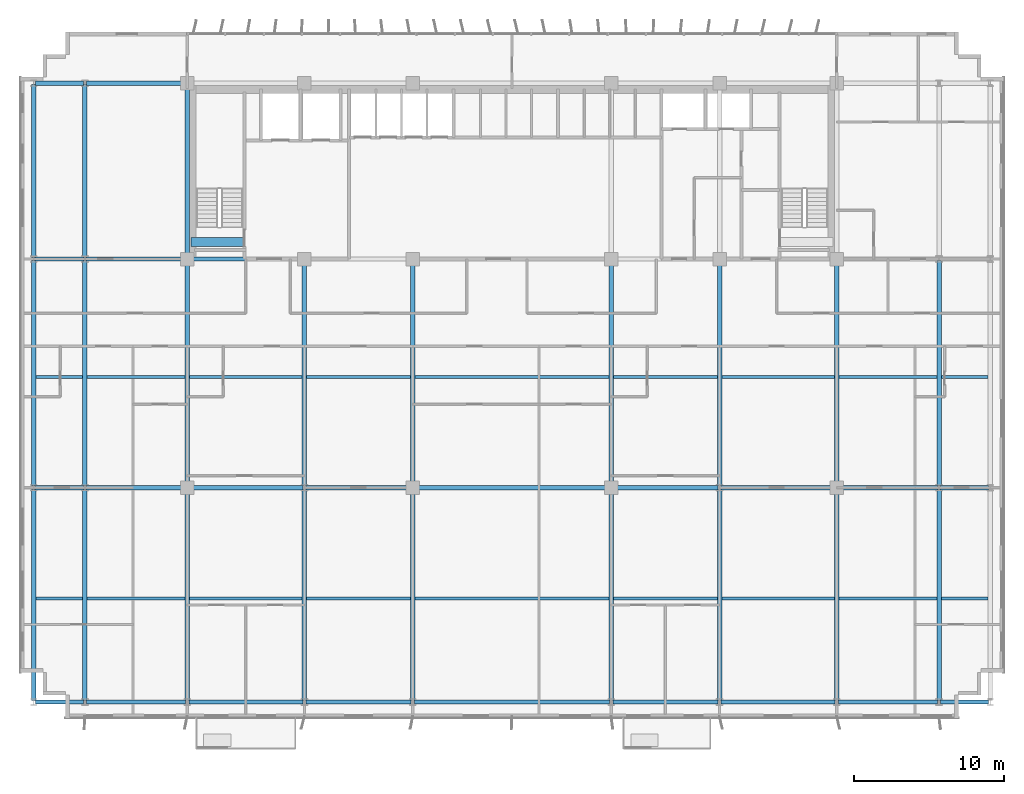
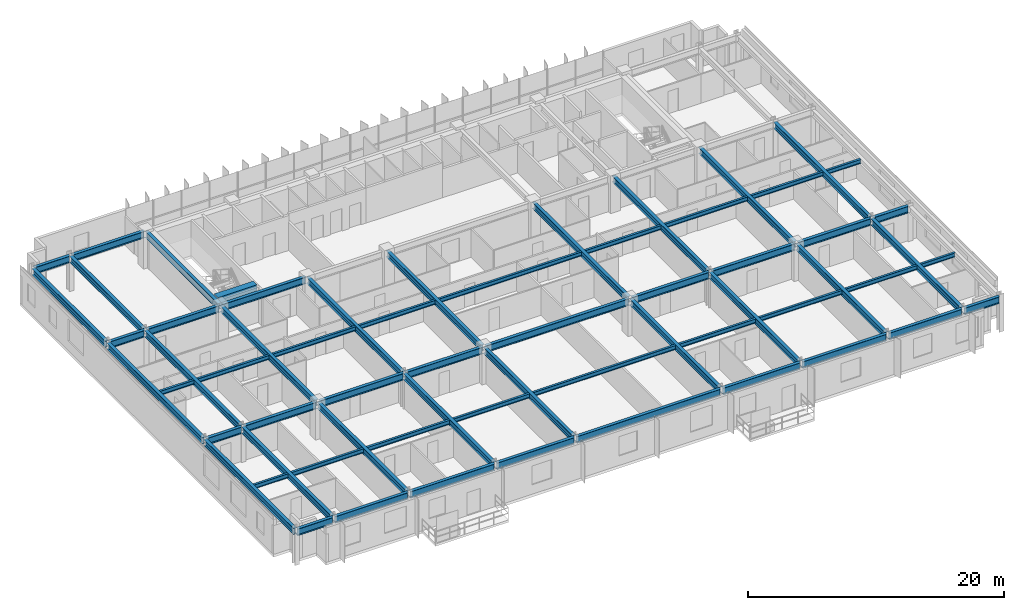
# One storey, part 4 of 22: 63 beams.
"""IFC4 building model written with IfcOpenShell, lengths in metres."""

from ifc_helpers import new_model, si_unit, direction, frame, origin, origin_2d, place, context, subcontext, project, spatial, rectangle, i_section, extrude, source, transform, mapped, material, material_profile, profile_set, type_object, element, save


model = new_model("IFC4")

# Units and contexts
model_context = context("Model", 3, precision=1e-05, world=origin(), true_north=direction((0.0, 1.0)))
body_context = subcontext(model_context, "Body", "Model", "MODEL_VIEW")
ifc_project = project(units=[si_unit("LENGTHUNIT", "METRE"), si_unit("AREAUNIT", "SQUARE_METRE"), si_unit("VOLUMEUNIT", "CUBIC_METRE"), si_unit("PLANEANGLEUNIT", "RADIAN"), si_unit("MASSUNIT", "GRAM", prefix="KILO")], contexts=[model_context])

# Site, building, storey
site_placement = place(None, origin())
site = spatial("IfcSite", under=ifc_project, at=site_placement, CompositionType="ELEMENT")
building_placement = place(site_placement, origin())
building = spatial("IfcBuilding", under=site, at=building_placement, Name="Trelvane Seafront Commons", CompositionType="ELEMENT")
storey_placement = place(building_placement, frame((0.0, 0.0, 52.300048828125)))
storey = spatial("IfcBuildingStorey", under=building, at=storey_placement, Name="L13", CompositionType="ELEMENT", Elevation=52.300048828125)

# Beams
ifc_material_1 = material(Name="Concrete C60/75", Category="concrete")
ifc_material_profile_1 = material_profile(ifc_material_1, rectangle(XDim=0.60009765625, YDim=0.89990234375, at=origin_2d()), Name="RC-600x900")
ifc_profile_set_1 = profile_set([ifc_material_profile_1], Name="Concrete C60/75")
beam_type_1 = type_object("IfcBeamType", Name="STR-LNT-RC600x900", PredefinedType="LINTEL", material=ifc_profile_set_1)
shared_shape_1 = source(origin(), body_context, "Body", "SweptSolid", [
    extrude(rectangle(XDim=0.60009765625, YDim=0.89990234375, at=origin_2d()), origin(), (0.0, 0.0, 1.0), 3.5498046875),
])
beam_1_placement = place(storey_placement, frame((15.85009765625, 34.550048828125, 2.889892578125), z_axis=(1.0, 0.0, 0.0), x_axis=(0.0, 1.0, 0.0)))
element("IfcBeam", 1, at=beam_1_placement, inside=storey, type_object=beam_type_1, Name="L13 Core Coupling Lintel Beam CB-85", PredefinedType="LINTEL", context=body_context, shape_type="MappedRepresentation", body=[
    mapped(shared_shape_1, transform((0.0, 0.0, 0.0), x_axis=(1.0, 0.0, 0.0), y_axis=(0.0, 1.0, 0.0), z_axis=(0.0, 0.0, 1.0), scale=1.0)),
])
ifc_material_2 = material(Name="Steel SM355 (S355)", Category="steel")
ifc_material_profile_2 = material_profile(ifc_material_2, i_section(OverallWidth=0.280029296875, OverallDepth=0.64990234375, WebThickness=0.012939453125, FlangeThickness=0.02197265625, at=origin_2d()), Name="H-650x280x13x22")
ifc_profile_set_2 = profile_set([ifc_material_profile_2], Name="Steel SM355 (S355)")
beam_type_2 = type_object("IfcBeamType", Name="STR-BM-H650", PredefinedType="BEAM", material=ifc_profile_set_2)
shared_shape_2 = source(origin(), body_context, "Body", "SweptSolid", [
    extrude(i_section(OverallWidth=0.280029296875, OverallDepth=0.64990234375, WebThickness=0.012939453125, FlangeThickness=0.02197265625, at=origin_2d()), origin(), (0.0, 0.0, 1.0), 3.190185546875),
])
for number, where, z_axis, x_axis, name in (
    (2, (5.5048828125, 3.949951171875, 3.014892578125), (1.0, 0.0, 0.0), (0.0, 1.0, 0.0), "L13 Primary Girder G-01"),
    (3, (5.5048828125, 18.199951171875, 3.014892578125), (1.0, 0.0, 0.0), (0.0, 1.0, 0.0), "L13 Primary Girder G-10"),
    (4, (5.5048828125, 33.39990234375, 3.014892578125), (1.0, 0.0, 0.0), (0.0, 1.0, 0.0), "L13 Primary Girder G-19"),
    (5, (5.5048828125, 45.10009765625, 3.014892578125), (1.0, 0.0, 0.0), (0.0, 1.0, 0.0), "L13 Primary Girder G-28"),
):
    element("IfcBeam", number, at=place(storey_placement, frame(where, z_axis=z_axis, x_axis=x_axis)), inside=storey, type_object=beam_type_2, Name=name, PredefinedType="BEAM", context=body_context, shape_type="MappedRepresentation", body=[
        mapped(shared_shape_2, transform((0.0, 0.0, 0.0), x_axis=(1.0, 0.0, 0.0), y_axis=(0.0, 1.0, 0.0), z_axis=(0.0, 0.0, 1.0), scale=1.0)),
    ])
shared_shape_3 = source(origin(), body_context, "Body", "SweptSolid", [
    extrude(i_section(OverallWidth=0.280029296875, OverallDepth=0.64990234375, WebThickness=0.012939453125, FlangeThickness=0.02197265625, at=origin_2d()), origin(), (0.0, 0.0, 1.0), 6.590087890625),
])
for number, where, z_axis, x_axis, name in (
    (6, (8.905029296875, 3.949951171875, 3.014892578125), (1.0, 0.0, 0.0), (0.0, 1.0, 0.0), "L13 Primary Girder G-02"),
    (7, (58.905029296875, 3.949951171875, 3.014892578125), (1.0, 0.0, 0.0), (0.0, 1.0, 0.0), "L13 Primary Girder G-08"),
):
    element("IfcBeam", number, at=place(storey_placement, frame(where, z_axis=z_axis, x_axis=x_axis)), inside=storey, type_object=beam_type_2, Name=name, PredefinedType="BEAM", context=body_context, shape_type="MappedRepresentation", body=[
        mapped(shared_shape_3, transform((0.0, 0.0, 0.0), x_axis=(1.0, 0.0, 0.0), y_axis=(0.0, 1.0, 0.0), z_axis=(0.0, 0.0, 1.0), scale=1.0)),
    ])
shared_shape_4 = source(origin(), body_context, "Body", "SweptSolid", [
    extrude(i_section(OverallWidth=0.280029296875, OverallDepth=0.64990234375, WebThickness=0.012939453125, FlangeThickness=0.02197265625, at=origin_2d()), origin(), (0.0, 0.0, 1.0), 7.58984375),
])
beam_2_placement = place(storey_placement, frame((15.705078125, 3.949951171875, 3.014892578125), z_axis=(1.0, 0.0, 0.0), x_axis=(0.0, 1.0, 0.0)))
element("IfcBeam", 8, at=beam_2_placement, inside=storey, type_object=beam_type_2, Name="L13 Primary Girder G-03", PredefinedType="BEAM", context=body_context, shape_type="MappedRepresentation", body=[
    mapped(shared_shape_4, transform((0.0, 0.0, 0.0), x_axis=(1.0, 0.0, 0.0), y_axis=(0.0, 1.0, 0.0), z_axis=(0.0, 0.0, 1.0), scale=1.0)),
])
shared_shape_5 = source(origin(), body_context, "Body", "SweptSolid", [
    extrude(i_section(OverallWidth=0.280029296875, OverallDepth=0.64990234375, WebThickness=0.012939453125, FlangeThickness=0.02197265625, at=origin_2d()), origin(), (0.0, 0.0, 1.0), 6.990234375),
])
beam_3_placement = place(storey_placement, frame((23.5048828125, 3.949951171875, 3.014892578125), z_axis=(1.0, 0.0, 0.0), x_axis=(0.0, 1.0, 0.0)))
element("IfcBeam", 9, at=beam_3_placement, inside=storey, type_object=beam_type_2, Name="L13 Primary Girder G-04", PredefinedType="BEAM", context=body_context, shape_type="MappedRepresentation", body=[
    mapped(shared_shape_5, transform((0.0, 0.0, 0.0), x_axis=(1.0, 0.0, 0.0), y_axis=(0.0, 1.0, 0.0), z_axis=(0.0, 0.0, 1.0), scale=1.0)),
])
shared_shape_6 = source(origin(), body_context, "Body", "SweptSolid", [
    extrude(i_section(OverallWidth=0.280029296875, OverallDepth=0.64990234375, WebThickness=0.012939453125, FlangeThickness=0.02197265625, at=origin_2d()), origin(), (0.0, 0.0, 1.0), 12.989990234375),
])
beam_4_placement = place(storey_placement, frame((30.705078125, 3.949951171875, 3.014892578125), z_axis=(1.0, 0.0, 0.0), x_axis=(0.0, 1.0, 0.0)))
element("IfcBeam", 10, at=beam_4_placement, inside=storey, type_object=beam_type_2, Name="L13 Primary Girder G-05", PredefinedType="BEAM", context=body_context, shape_type="MappedRepresentation", body=[
    mapped(shared_shape_6, transform((0.0, 0.0, 0.0), x_axis=(1.0, 0.0, 0.0), y_axis=(0.0, 1.0, 0.0), z_axis=(0.0, 0.0, 1.0), scale=1.0)),
])
shared_shape_7 = source(origin(), body_context, "Body", "SweptSolid", [
    extrude(i_section(OverallWidth=0.280029296875, OverallDepth=0.64990234375, WebThickness=0.012939453125, FlangeThickness=0.02197265625, at=origin_2d()), origin(), (0.0, 0.0, 1.0), 6.989990234375),
])
beam_5_placement = place(storey_placement, frame((43.905029296875, 3.949951171875, 3.014892578125), z_axis=(1.0, 0.0, 0.0), x_axis=(0.0, 1.0, 0.0)))
element("IfcBeam", 11, at=beam_5_placement, inside=storey, type_object=beam_type_2, Name="L13 Primary Girder G-06", PredefinedType="BEAM", context=body_context, shape_type="MappedRepresentation", body=[
    mapped(shared_shape_7, transform((0.0, 0.0, 0.0), x_axis=(1.0, 0.0, 0.0), y_axis=(0.0, 1.0, 0.0), z_axis=(0.0, 0.0, 1.0), scale=1.0)),
])
shared_shape_8 = source(origin(), body_context, "Body", "SweptSolid", [
    extrude(i_section(OverallWidth=0.280029296875, OverallDepth=0.64990234375, WebThickness=0.012939453125, FlangeThickness=0.02197265625, at=origin_2d()), origin(), (0.0, 0.0, 1.0), 7.590087890625),
])
beam_6_placement = place(storey_placement, frame((51.10498046875, 3.949951171875, 3.014892578125), z_axis=(1.0, 0.0, 0.0), x_axis=(0.0, 1.0, 0.0)))
element("IfcBeam", 12, at=beam_6_placement, inside=storey, type_object=beam_type_2, Name="L13 Primary Girder G-07", PredefinedType="BEAM", context=body_context, shape_type="MappedRepresentation", body=[
    mapped(shared_shape_8, transform((0.0, 0.0, 0.0), x_axis=(1.0, 0.0, 0.0), y_axis=(0.0, 1.0, 0.0), z_axis=(0.0, 0.0, 1.0), scale=1.0)),
])
shared_shape_9 = source(origin(), body_context, "Body", "SweptSolid", [
    extrude(i_section(OverallWidth=0.280029296875, OverallDepth=0.64990234375, WebThickness=0.012939453125, FlangeThickness=0.02197265625, at=origin_2d()), origin(), (0.0, 0.0, 1.0), 3.18994140625),
])
for number, where, z_axis, x_axis, name in (
    (13, (65.705078125, 3.949951171875, 3.014892578125), (1.0, 0.0, 0.0), (0.0, 1.0, 0.0), "L13 Primary Girder G-09"),
    (14, (65.705078125, 18.199951171875, 3.014892578125), (1.0, 0.0, 0.0), (0.0, 1.0, 0.0), "L13 Primary Girder G-18"),
):
    element("IfcBeam", number, at=place(storey_placement, frame(where, z_axis=z_axis, x_axis=x_axis)), inside=storey, type_object=beam_type_2, Name=name, PredefinedType="BEAM", context=body_context, shape_type="MappedRepresentation", body=[
        mapped(shared_shape_9, transform((0.0, 0.0, 0.0), x_axis=(1.0, 0.0, 0.0), y_axis=(0.0, 1.0, 0.0), z_axis=(0.0, 0.0, 1.0), scale=1.0)),
    ])
shared_shape_10 = source(origin(), body_context, "Body", "SweptSolid", [
    extrude(i_section(OverallWidth=0.280029296875, OverallDepth=0.64990234375, WebThickness=0.012939453125, FlangeThickness=0.02197265625, at=origin_2d()), origin(), (0.0, 0.0, 1.0), 6.544921875),
])
for number, where, z_axis, x_axis, name in (
    (15, (8.905029296875, 18.199951171875, 3.014892578125), (1.0, 0.0, 0.0), (0.0, 1.0, 0.0), "L13 Primary Girder G-11"),
    (16, (8.905029296875, 33.39990234375, 3.014892578125), (1.0, 0.0, 0.0), (0.0, 1.0, 0.0), "L13 Primary Girder G-20"),
    (17, (8.905029296875, 45.10009765625, 3.014892578125), (1.0, 0.0, 0.0), (0.0, 1.0, 0.0), "L13 Primary Girder G-29"),
):
    element("IfcBeam", number, at=place(storey_placement, frame(where, z_axis=z_axis, x_axis=x_axis)), inside=storey, type_object=beam_type_2, Name=name, PredefinedType="BEAM", context=body_context, shape_type="MappedRepresentation", body=[
        mapped(shared_shape_10, transform((0.0, 0.0, 0.0), x_axis=(1.0, 0.0, 0.0), y_axis=(0.0, 1.0, 0.0), z_axis=(0.0, 0.0, 1.0), scale=1.0)),
    ])
shared_shape_11 = source(origin(), body_context, "Body", "SweptSolid", [
    extrude(i_section(OverallWidth=0.280029296875, OverallDepth=0.64990234375, WebThickness=0.012939453125, FlangeThickness=0.02197265625, at=origin_2d()), origin(), (0.0, 0.0, 1.0), 7.544921875),
])
for number, where, z_axis, x_axis, name in (
    (18, (15.75, 18.199951171875, 3.014892578125), (1.0, 0.0, 0.0), (0.0, 1.0, 0.0), "L13 Primary Girder G-12"),
    (19, (51.10498046875, 18.199951171875, 3.014892578125), (1.0, 0.0, 0.0), (0.0, 1.0, 0.0), "L13 Primary Girder G-16"),
):
    element("IfcBeam", number, at=place(storey_placement, frame(where, z_axis=z_axis, x_axis=x_axis)), inside=storey, type_object=beam_type_2, Name=name, PredefinedType="BEAM", context=body_context, shape_type="MappedRepresentation", body=[
        mapped(shared_shape_11, transform((0.0, 0.0, 0.0), x_axis=(1.0, 0.0, 0.0), y_axis=(0.0, 1.0, 0.0), z_axis=(0.0, 0.0, 1.0), scale=1.0)),
    ])
shared_shape_12 = source(origin(), body_context, "Body", "SweptSolid", [
    extrude(i_section(OverallWidth=0.280029296875, OverallDepth=0.64990234375, WebThickness=0.012939453125, FlangeThickness=0.02197265625, at=origin_2d()), origin(), (0.0, 0.0, 1.0), 6.945068359375),
])
for number, where, z_axis, x_axis, name in (
    (20, (23.5048828125, 18.199951171875, 3.014892578125), (1.0, 0.0, 0.0), (0.0, 1.0, 0.0), "L13 Primary Girder G-13"),
    (21, (43.949951171875, 18.199951171875, 3.014892578125), (1.0, 0.0, 0.0), (0.0, 1.0, 0.0), "L13 Primary Girder G-15"),
):
    element("IfcBeam", number, at=place(storey_placement, frame(where, z_axis=z_axis, x_axis=x_axis)), inside=storey, type_object=beam_type_2, Name=name, PredefinedType="BEAM", context=body_context, shape_type="MappedRepresentation", body=[
        mapped(shared_shape_12, transform((0.0, 0.0, 0.0), x_axis=(1.0, 0.0, 0.0), y_axis=(0.0, 1.0, 0.0), z_axis=(0.0, 0.0, 1.0), scale=1.0)),
    ])
shared_shape_13 = source(origin(), body_context, "Body", "SweptSolid", [
    extrude(i_section(OverallWidth=0.280029296875, OverallDepth=0.64990234375, WebThickness=0.012939453125, FlangeThickness=0.02197265625, at=origin_2d()), origin(), (0.0, 0.0, 1.0), 12.89990234375),
])
beam_7_placement = place(storey_placement, frame((30.75, 18.199951171875, 3.014892578125), z_axis=(1.0, 0.0, 0.0), x_axis=(0.0, 1.0, 0.0)))
element("IfcBeam", 22, at=beam_7_placement, inside=storey, type_object=beam_type_2, Name="L13 Primary Girder G-14", PredefinedType="BEAM", context=body_context, shape_type="MappedRepresentation", body=[
    mapped(shared_shape_13, transform((0.0, 0.0, 0.0), x_axis=(1.0, 0.0, 0.0), y_axis=(0.0, 1.0, 0.0), z_axis=(0.0, 0.0, 1.0), scale=1.0)),
])
shared_shape_14 = source(origin(), body_context, "Body", "SweptSolid", [
    extrude(i_section(OverallWidth=0.280029296875, OverallDepth=0.64990234375, WebThickness=0.012939453125, FlangeThickness=0.02197265625, at=origin_2d()), origin(), (0.0, 0.0, 1.0), 6.545166015625),
])
beam_8_placement = place(storey_placement, frame((58.949951171875, 18.199951171875, 3.014892578125), z_axis=(1.0, 0.0, 0.0), x_axis=(0.0, 1.0, 0.0)))
element("IfcBeam", 23, at=beam_8_placement, inside=storey, type_object=beam_type_2, Name="L13 Primary Girder G-17", PredefinedType="BEAM", context=body_context, shape_type="MappedRepresentation", body=[
    mapped(shared_shape_14, transform((0.0, 0.0, 0.0), x_axis=(1.0, 0.0, 0.0), y_axis=(0.0, 1.0, 0.0), z_axis=(0.0, 0.0, 1.0), scale=1.0)),
])
shared_shape_15 = source(origin(), body_context, "Body", "SweptSolid", [
    extrude(i_section(OverallWidth=0.280029296875, OverallDepth=0.64990234375, WebThickness=0.012939453125, FlangeThickness=0.02197265625, at=origin_2d()), origin(), (0.0, 0.0, 1.0), 7.5),
])
beam_9_placement = place(storey_placement, frame((15.75, 33.39990234375, 3.014892578125), z_axis=(1.0, 0.0, 0.0), x_axis=(0.0, 1.0, 0.0)))
element("IfcBeam", 24, at=beam_9_placement, inside=storey, type_object=beam_type_2, Name="L13 Primary Girder G-21", PredefinedType="BEAM", context=body_context, shape_type="MappedRepresentation", body=[
    mapped(shared_shape_15, transform((0.0, 0.0, 0.0), x_axis=(1.0, 0.0, 0.0), y_axis=(0.0, 1.0, 0.0), z_axis=(0.0, 0.0, 1.0), scale=1.0)),
])
ifc_material_profile_3 = material_profile(ifc_material_2, i_section(OverallWidth=0.300048828125, OverallDepth=0.587890625, WebThickness=0.011962890625, FlangeThickness=0.02001953125, at=origin_2d()), Name="H-588x300x12x20")
ifc_profile_set_3 = profile_set([ifc_material_profile_3], Name="Steel SM355 (S355)")
beam_type_3 = type_object("IfcBeamType", Name="STR-BM-H588", PredefinedType="BEAM", material=ifc_profile_set_3)
shared_shape_16 = source(origin(), body_context, "Body", "SweptSolid", [
    extrude(i_section(OverallWidth=0.300048828125, OverallDepth=0.587890625, WebThickness=0.011962890625, FlangeThickness=0.02001953125, at=origin_2d()), origin(), (0.0, 0.0, 1.0), 14.0400390625),
])
for number, where, z_axis, x_axis, name in (
    (25, (5.39990234375, 4.054931640625, 3.0458984375), (0.0, 1.0, 0.0), (-1.0, 0.0, 0.0), "L13 Primary Girder G-37"),
    (26, (8.800048828125, 4.054931640625, 3.0458984375), (0.0, 1.0, 0.0), (-1.0, 0.0, 0.0), "L13 Primary Girder G-40"),
    (27, (23.39990234375, 4.054931640625, 3.0458984375), (0.0, 1.0, 0.0), (-1.0, 0.0, 0.0), "L13 Primary Girder G-46"),
    (28, (51.0, 4.054931640625, 3.0458984375), (0.0, 1.0, 0.0), (-1.0, 0.0, 0.0), "L13 Primary Girder G-55"),
    (29, (65.60009765625, 4.054931640625, 3.0458984375), (0.0, 1.0, 0.0), (-1.0, 0.0, 0.0), "L13 Primary Girder G-61"),
):
    element("IfcBeam", number, at=place(storey_placement, frame(where, z_axis=z_axis, x_axis=x_axis)), inside=storey, type_object=beam_type_3, Name=name, PredefinedType="BEAM", context=body_context, shape_type="MappedRepresentation", body=[
        mapped(shared_shape_16, transform((0.0, 0.0, 0.0), x_axis=(1.0, 0.0, 0.0), y_axis=(0.0, 1.0, 0.0), z_axis=(0.0, 0.0, 1.0), scale=1.0)),
    ])
shared_shape_17 = source(origin(), body_context, "Body", "SweptSolid", [
    extrude(i_section(OverallWidth=0.300048828125, OverallDepth=0.587890625, WebThickness=0.011962890625, FlangeThickness=0.02001953125, at=origin_2d()), origin(), (0.0, 0.0, 1.0), 14.989990234375),
])
for number, where, z_axis, x_axis, name in (
    (30, (5.39990234375, 18.304931640625, 3.0458984375), (0.0, 1.0, 0.0), (-1.0, 0.0, 0.0), "L13 Primary Girder G-38"),
    (31, (8.800048828125, 18.304931640625, 3.0458984375), (0.0, 1.0, 0.0), (-1.0, 0.0, 0.0), "L13 Primary Girder G-41"),
    (32, (65.60009765625, 18.304931640625, 3.0458984375), (0.0, 1.0, 0.0), (-1.0, 0.0, 0.0), "L13 Primary Girder G-62"),
):
    element("IfcBeam", number, at=place(storey_placement, frame(where, z_axis=z_axis, x_axis=x_axis)), inside=storey, type_object=beam_type_3, Name=name, PredefinedType="BEAM", context=body_context, shape_type="MappedRepresentation", body=[
        mapped(shared_shape_17, transform((0.0, 0.0, 0.0), x_axis=(1.0, 0.0, 0.0), y_axis=(0.0, 1.0, 0.0), z_axis=(0.0, 0.0, 1.0), scale=1.0)),
    ])
shared_shape_18 = source(origin(), body_context, "Body", "SweptSolid", [
    extrude(i_section(OverallWidth=0.300048828125, OverallDepth=0.587890625, WebThickness=0.011962890625, FlangeThickness=0.02001953125, at=origin_2d()), origin(), (0.0, 0.0, 1.0), 11.490234375),
])
for number, where, z_axis, x_axis, name in (
    (33, (5.39990234375, 33.5048828125, 3.0458984375), (0.0, 1.0, 0.0), (-1.0, 0.0, 0.0), "L13 Primary Girder G-39"),
    (34, (8.800048828125, 33.5048828125, 3.0458984375), (0.0, 1.0, 0.0), (-1.0, 0.0, 0.0), "L13 Primary Girder G-42"),
):
    element("IfcBeam", number, at=place(storey_placement, frame(where, z_axis=z_axis, x_axis=x_axis)), inside=storey, type_object=beam_type_3, Name=name, PredefinedType="BEAM", context=body_context, shape_type="MappedRepresentation", body=[
        mapped(shared_shape_18, transform((0.0, 0.0, 0.0), x_axis=(1.0, 0.0, 0.0), y_axis=(0.0, 1.0, 0.0), z_axis=(0.0, 0.0, 1.0), scale=1.0)),
    ])
shared_shape_19 = source(origin(), body_context, "Body", "SweptSolid", [
    extrude(i_section(OverallWidth=0.300048828125, OverallDepth=0.587890625, WebThickness=0.011962890625, FlangeThickness=0.02001953125, at=origin_2d()), origin(), (0.0, 0.0, 1.0), 13.9951171875),
])
for number, where, z_axis, x_axis, name in (
    (35, (15.60009765625, 4.054931640625, 3.0458984375), (0.0, 1.0, 0.0), (-1.0, 0.0, 0.0), "L13 Primary Girder G-43"),
    (36, (30.60009765625, 4.054931640625, 3.0458984375), (0.0, 1.0, 0.0), (-1.0, 0.0, 0.0), "L13 Primary Girder G-49"),
    (37, (43.800048828125, 4.054931640625, 3.0458984375), (0.0, 1.0, 0.0), (-1.0, 0.0, 0.0), "L13 Primary Girder G-52"),
    (38, (58.800048828125, 4.054931640625, 3.0458984375), (0.0, 1.0, 0.0), (-1.0, 0.0, 0.0), "L13 Primary Girder G-58"),
):
    element("IfcBeam", number, at=place(storey_placement, frame(where, z_axis=z_axis, x_axis=x_axis)), inside=storey, type_object=beam_type_3, Name=name, PredefinedType="BEAM", context=body_context, shape_type="MappedRepresentation", body=[
        mapped(shared_shape_19, transform((0.0, 0.0, 0.0), x_axis=(1.0, 0.0, 0.0), y_axis=(0.0, 1.0, 0.0), z_axis=(0.0, 0.0, 1.0), scale=1.0)),
    ])
shared_shape_20 = source(origin(), body_context, "Body", "SweptSolid", [
    extrude(i_section(OverallWidth=0.300048828125, OverallDepth=0.587890625, WebThickness=0.011962890625, FlangeThickness=0.02001953125, at=origin_2d()), origin(), (0.0, 0.0, 1.0), 14.89990234375),
])
for number, where, z_axis, x_axis, name in (
    (39, (15.60009765625, 18.35009765625, 3.0458984375), (0.0, 1.0, 0.0), (-1.0, 0.0, 0.0), "L13 Primary Girder G-44"),
    (40, (30.60009765625, 18.35009765625, 3.0458984375), (0.0, 1.0, 0.0), (-1.0, 0.0, 0.0), "L13 Primary Girder G-50"),
    (41, (43.800048828125, 18.35009765625, 3.0458984375), (0.0, 1.0, 0.0), (-1.0, 0.0, 0.0), "L13 Primary Girder G-53"),
    (42, (58.800048828125, 18.35009765625, 3.0458984375), (0.0, 1.0, 0.0), (-1.0, 0.0, 0.0), "L13 Primary Girder G-59"),
):
    element("IfcBeam", number, at=place(storey_placement, frame(where, z_axis=z_axis, x_axis=x_axis)), inside=storey, type_object=beam_type_3, Name=name, PredefinedType="BEAM", context=body_context, shape_type="MappedRepresentation", body=[
        mapped(shared_shape_20, transform((0.0, 0.0, 0.0), x_axis=(1.0, 0.0, 0.0), y_axis=(0.0, 1.0, 0.0), z_axis=(0.0, 0.0, 1.0), scale=1.0)),
    ])
shared_shape_21 = source(origin(), body_context, "Body", "SweptSolid", [
    extrude(i_section(OverallWidth=0.300048828125, OverallDepth=0.587890625, WebThickness=0.011962890625, FlangeThickness=0.02001953125, at=origin_2d()), origin(), (0.0, 0.0, 1.0), 11.39990234375),
])
beam_10_placement = place(storey_placement, frame((15.60009765625, 33.550048828125, 3.0458984375), z_axis=(0.0, 1.0, 0.0), x_axis=(-1.0, 0.0, 0.0)))
element("IfcBeam", 43, at=beam_10_placement, inside=storey, type_object=beam_type_3, Name="L13 Primary Girder G-45", PredefinedType="BEAM", context=body_context, shape_type="MappedRepresentation", body=[
    mapped(shared_shape_21, transform((0.0, 0.0, 0.0), x_axis=(1.0, 0.0, 0.0), y_axis=(0.0, 1.0, 0.0), z_axis=(0.0, 0.0, 1.0), scale=1.0)),
])
shared_shape_22 = source(origin(), body_context, "Body", "SweptSolid", [
    extrude(i_section(OverallWidth=0.300048828125, OverallDepth=0.587890625, WebThickness=0.011962890625, FlangeThickness=0.02001953125, at=origin_2d()), origin(), (0.0, 0.0, 1.0), 14.945068359375),
])
for number, where, z_axis, x_axis, name in (
    (44, (23.39990234375, 18.304931640625, 3.0458984375), (0.0, 1.0, 0.0), (-1.0, 0.0, 0.0), "L13 Primary Girder G-47"),
    (45, (51.0, 18.304931640625, 3.0458984375), (0.0, 1.0, 0.0), (-1.0, 0.0, 0.0), "L13 Primary Girder G-56"),
):
    element("IfcBeam", number, at=place(storey_placement, frame(where, z_axis=z_axis, x_axis=x_axis)), inside=storey, type_object=beam_type_3, Name=name, PredefinedType="BEAM", context=body_context, shape_type="MappedRepresentation", body=[
        mapped(shared_shape_22, transform((0.0, 0.0, 0.0), x_axis=(1.0, 0.0, 0.0), y_axis=(0.0, 1.0, 0.0), z_axis=(0.0, 0.0, 1.0), scale=1.0)),
    ])
ifc_material_profile_4 = material_profile(ifc_material_2, i_section(OverallWidth=0.199951171875, OverallDepth=0.39990234375, WebThickness=0.008056640625, FlangeThickness=0.012939453125, at=origin_2d()), Name="H-400x200x8x13")
ifc_profile_set_4 = profile_set([ifc_material_profile_4], Name="Steel SM355 (S355)")
beam_type_4 = type_object("IfcBeamType", Name="STR-JST-H400", PredefinedType="JOIST", material=ifc_profile_set_4)
shared_shape_23 = source(origin(), body_context, "Body", "SweptSolid", [
    extrude(i_section(OverallWidth=0.199951171875, OverallDepth=0.39990234375, WebThickness=0.008056640625, FlangeThickness=0.012939453125, at=origin_2d()), origin(), (0.0, 0.0, 1.0), 3.099853515625),
])
for number, where, z_axis, x_axis, name in (
    (46, (5.550048828125, 10.824951171875, 3.139892578125), (1.0, 0.0, 0.0), (0.0, 1.0, 0.0), "L13 Secondary Floor Joist B-67"),
    (47, (5.550048828125, 25.550048828125, 3.139892578125), (1.0, 0.0, 0.0), (0.0, 1.0, 0.0), "L13 Secondary Floor Joist B-76"),
):
    element("IfcBeam", number, at=place(storey_placement, frame(where, z_axis=z_axis, x_axis=x_axis)), inside=storey, type_object=beam_type_4, Name=name, PredefinedType="JOIST", context=body_context, shape_type="MappedRepresentation", body=[
        mapped(shared_shape_23, transform((0.0, 0.0, 0.0), x_axis=(1.0, 0.0, 0.0), y_axis=(0.0, 1.0, 0.0), z_axis=(0.0, 0.0, 1.0), scale=1.0)),
    ])
shared_shape_24 = source(origin(), body_context, "Body", "SweptSolid", [
    extrude(i_section(OverallWidth=0.199951171875, OverallDepth=0.39990234375, WebThickness=0.008056640625, FlangeThickness=0.012939453125, at=origin_2d()), origin(), (0.0, 0.0, 1.0), 6.5),
])
for number, where, z_axis, x_axis, name in (
    (48, (8.949951171875, 10.824951171875, 3.139892578125), (1.0, 0.0, 0.0), (0.0, 1.0, 0.0), "L13 Secondary Floor Joist B-68"),
    (49, (58.949951171875, 10.824951171875, 3.139892578125), (1.0, 0.0, 0.0), (0.0, 1.0, 0.0), "L13 Secondary Floor Joist B-74"),
    (50, (8.949951171875, 25.550048828125, 3.139892578125), (1.0, 0.0, 0.0), (0.0, 1.0, 0.0), "L13 Secondary Floor Joist B-77"),
    (51, (58.949951171875, 25.550048828125, 3.139892578125), (1.0, 0.0, 0.0), (0.0, 1.0, 0.0), "L13 Secondary Floor Joist B-83"),
):
    element("IfcBeam", number, at=place(storey_placement, frame(where, z_axis=z_axis, x_axis=x_axis)), inside=storey, type_object=beam_type_4, Name=name, PredefinedType="JOIST", context=body_context, shape_type="MappedRepresentation", body=[
        mapped(shared_shape_24, transform((0.0, 0.0, 0.0), x_axis=(1.0, 0.0, 0.0), y_axis=(0.0, 1.0, 0.0), z_axis=(0.0, 0.0, 1.0), scale=1.0)),
    ])
shared_shape_25 = source(origin(), body_context, "Body", "SweptSolid", [
    extrude(i_section(OverallWidth=0.199951171875, OverallDepth=0.39990234375, WebThickness=0.008056640625, FlangeThickness=0.012939453125, at=origin_2d()), origin(), (0.0, 0.0, 1.0), 7.5),
])
for number, where, z_axis, x_axis, name in (
    (52, (15.75, 10.824951171875, 3.139892578125), (1.0, 0.0, 0.0), (0.0, 1.0, 0.0), "L13 Secondary Floor Joist B-69"),
    (53, (51.14990234375, 10.824951171875, 3.139892578125), (1.0, 0.0, 0.0), (0.0, 1.0, 0.0), "L13 Secondary Floor Joist B-73"),
    (54, (15.75, 25.550048828125, 3.139892578125), (1.0, 0.0, 0.0), (0.0, 1.0, 0.0), "L13 Secondary Floor Joist B-78"),
    (55, (51.14990234375, 25.550048828125, 3.139892578125), (1.0, 0.0, 0.0), (0.0, 1.0, 0.0), "L13 Secondary Floor Joist B-82"),
):
    element("IfcBeam", number, at=place(storey_placement, frame(where, z_axis=z_axis, x_axis=x_axis)), inside=storey, type_object=beam_type_4, Name=name, PredefinedType="JOIST", context=body_context, shape_type="MappedRepresentation", body=[
        mapped(shared_shape_25, transform((0.0, 0.0, 0.0), x_axis=(1.0, 0.0, 0.0), y_axis=(0.0, 1.0, 0.0), z_axis=(0.0, 0.0, 1.0), scale=1.0)),
    ])
shared_shape_26 = source(origin(), body_context, "Body", "SweptSolid", [
    extrude(i_section(OverallWidth=0.199951171875, OverallDepth=0.39990234375, WebThickness=0.008056640625, FlangeThickness=0.012939453125, at=origin_2d()), origin(), (0.0, 0.0, 1.0), 6.89990234375),
])
for number, where, z_axis, x_axis, name in (
    (56, (23.550048828125, 10.824951171875, 3.139892578125), (1.0, 0.0, 0.0), (0.0, 1.0, 0.0), "L13 Secondary Floor Joist B-70"),
    (57, (23.550048828125, 25.550048828125, 3.139892578125), (1.0, 0.0, 0.0), (0.0, 1.0, 0.0), "L13 Secondary Floor Joist B-79"),
):
    element("IfcBeam", number, at=place(storey_placement, frame(where, z_axis=z_axis, x_axis=x_axis)), inside=storey, type_object=beam_type_4, Name=name, PredefinedType="JOIST", context=body_context, shape_type="MappedRepresentation", body=[
        mapped(shared_shape_26, transform((0.0, 0.0, 0.0), x_axis=(1.0, 0.0, 0.0), y_axis=(0.0, 1.0, 0.0), z_axis=(0.0, 0.0, 1.0), scale=1.0)),
    ])
shared_shape_27 = source(origin(), body_context, "Body", "SweptSolid", [
    extrude(i_section(OverallWidth=0.199951171875, OverallDepth=0.39990234375, WebThickness=0.008056640625, FlangeThickness=0.012939453125, at=origin_2d()), origin(), (0.0, 0.0, 1.0), 12.89990234375),
])
for number, where, z_axis, x_axis, name in (
    (58, (30.75, 10.824951171875, 3.139892578125), (1.0, 0.0, 0.0), (0.0, 1.0, 0.0), "L13 Secondary Floor Joist B-71"),
    (59, (30.75, 25.550048828125, 3.139892578125), (1.0, 0.0, 0.0), (0.0, 1.0, 0.0), "L13 Secondary Floor Joist B-80"),
):
    element("IfcBeam", number, at=place(storey_placement, frame(where, z_axis=z_axis, x_axis=x_axis)), inside=storey, type_object=beam_type_4, Name=name, PredefinedType="JOIST", context=body_context, shape_type="MappedRepresentation", body=[
        mapped(shared_shape_27, transform((0.0, 0.0, 0.0), x_axis=(1.0, 0.0, 0.0), y_axis=(0.0, 1.0, 0.0), z_axis=(0.0, 0.0, 1.0), scale=1.0)),
    ])
shared_shape_28 = source(origin(), body_context, "Body", "SweptSolid", [
    extrude(i_section(OverallWidth=0.199951171875, OverallDepth=0.39990234375, WebThickness=0.008056640625, FlangeThickness=0.012939453125, at=origin_2d()), origin(), (0.0, 0.0, 1.0), 6.900146484375),
])
for number, where, z_axis, x_axis, name in (
    (60, (43.949951171875, 10.824951171875, 3.139892578125), (1.0, 0.0, 0.0), (0.0, 1.0, 0.0), "L13 Secondary Floor Joist B-72"),
    (61, (43.949951171875, 25.550048828125, 3.139892578125), (1.0, 0.0, 0.0), (0.0, 1.0, 0.0), "L13 Secondary Floor Joist B-81"),
):
    element("IfcBeam", number, at=place(storey_placement, frame(where, z_axis=z_axis, x_axis=x_axis)), inside=storey, type_object=beam_type_4, Name=name, PredefinedType="JOIST", context=body_context, shape_type="MappedRepresentation", body=[
        mapped(shared_shape_28, transform((0.0, 0.0, 0.0), x_axis=(1.0, 0.0, 0.0), y_axis=(0.0, 1.0, 0.0), z_axis=(0.0, 0.0, 1.0), scale=1.0)),
    ])
shared_shape_29 = source(origin(), body_context, "Body", "SweptSolid", [
    extrude(i_section(OverallWidth=0.199951171875, OverallDepth=0.39990234375, WebThickness=0.008056640625, FlangeThickness=0.012939453125, at=origin_2d()), origin(), (0.0, 0.0, 1.0), 3.10009765625),
])
for number, where, z_axis, x_axis, name in (
    (62, (65.75, 10.824951171875, 3.139892578125), (1.0, 0.0, 0.0), (0.0, 1.0, 0.0), "L13 Secondary Floor Joist B-75"),
    (63, (65.75, 25.550048828125, 3.139892578125), (1.0, 0.0, 0.0), (0.0, 1.0, 0.0), "L13 Secondary Floor Joist B-84"),
):
    element("IfcBeam", number, at=place(storey_placement, frame(where, z_axis=z_axis, x_axis=x_axis)), inside=storey, type_object=beam_type_4, Name=name, PredefinedType="JOIST", context=body_context, shape_type="MappedRepresentation", body=[
        mapped(shared_shape_29, transform((0.0, 0.0, 0.0), x_axis=(1.0, 0.0, 0.0), y_axis=(0.0, 1.0, 0.0), z_axis=(0.0, 0.0, 1.0), scale=1.0)),
    ])

save(model, "model.ifc")
